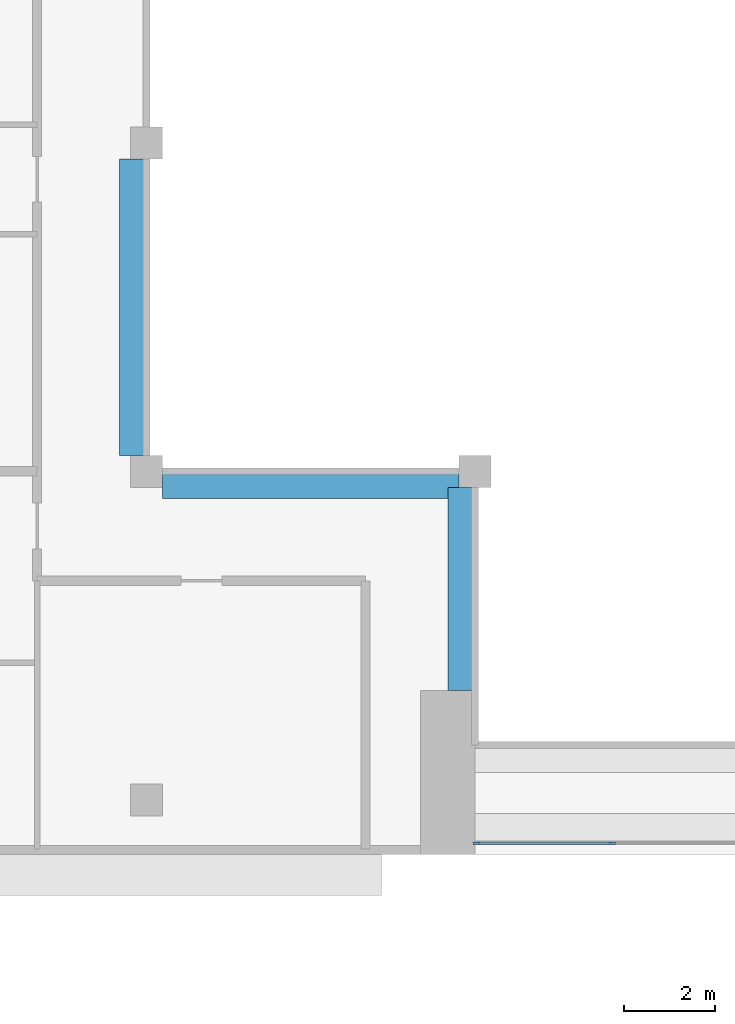
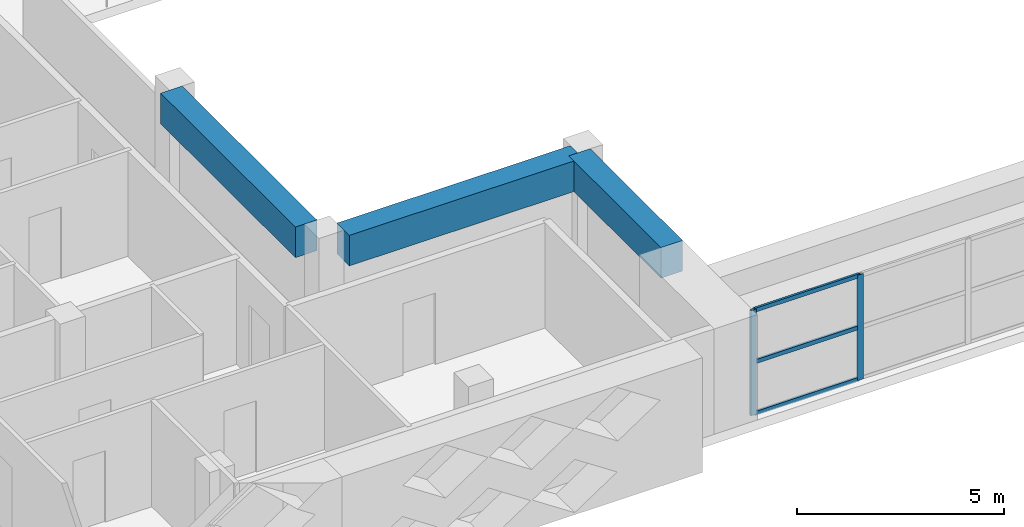
# One storey, part 2 of 19: 5 members, 3 beams, 1 element without a shape of its own.
"""IFC4 building model written with IfcOpenShell, lengths in metres."""

import ifcopenshell
import ifcopenshell.guid

model = None  # the IFC model being written
_history = None  # IfcOwnerHistory: only IFC2X3 demands one
_inside = {}  # id of a spatial element -> (the spatial element, [elements in it])
_under = {}  # id of a project, library or spatial element -> (it, [spatial elements below it])
_declared = {}  # id of a project -> (the project, [libraries it declares])
_typed = {}  # id of a type object -> (the type object, [elements of that type])
_made_of = {}  # id of a material, layer set ... -> (it, [elements and type objects made of it])


def new_model(schema):
    """Start an empty IFC model of exactly this schema.

    Asked for "IFC4X3", IfcOpenShell would pick the latest addendum, in which some entities
    have other attributes; the version numbers below select the first issue.
    IFC2X3 requires an IfcOwnerHistory on every rooted entity: one is made here for all.
    """
    global model, _history
    if schema == "IFC4X3":
        model = ifcopenshell.file(schema_version=(4, 3, 0, 0))
    else:
        model = ifcopenshell.file(schema=schema)
    _inside.clear()
    _under.clear()
    _declared.clear()
    _typed.clear()
    _made_of.clear()
    _history = None
    if model.schema == "IFC2X3":
        org = make("IfcOrganization", Name="unknown")
        user = make(
            "IfcPersonAndOrganization",
            ThePerson=make("IfcPerson", FamilyName="unknown"),
            TheOrganization=org,
        )
        app = make(
            "IfcApplication",
            ApplicationDeveloper=org,
            Version="unknown",
            ApplicationFullName="unknown",
            ApplicationIdentifier="unknown",
        )
        _history = make(
            "IfcOwnerHistory",
            OwningUser=user,
            OwningApplication=app,
            ChangeAction="ADDED",
            CreationDate=0,
        )
    return model


def make(cls, **values):
    """One entity of the class cls with the attributes given. An attribute that is None is left unset."""
    return model.create_entity(
        cls, **{name: value for name, value in values.items() if value is not None}
    )


def rooted(cls, **values):
    """An entity with a GlobalId (a new one), such as an element, a storey or a relation."""
    return make(cls, GlobalId=ifcopenshell.guid.new(), OwnerHistory=_history, **values)


def si_unit(unit_type, name, prefix=None):
    """IfcSIUnit, for example si_unit("LENGTHUNIT", "METRE", prefix="MILLI")."""
    return make("IfcSIUnit", UnitType=unit_type, Prefix=prefix, Name=name)


def assignment(units):
    """IfcUnitAssignment: the units of a project."""
    return None if units is None else make("IfcUnitAssignment", Units=units)


def point(xyz):
    """IfcCartesianPoint."""
    return None if xyz is None else make("IfcCartesianPoint", Coordinates=xyz)


def direction(xyz):
    """IfcDirection."""
    return None if xyz is None else make("IfcDirection", DirectionRatios=xyz)


def frame(location, z_axis=None, x_axis=None):
    """IfcAxis2Placement3D, a coordinate frame: its origin and axes. An axis left out is left unset."""
    return make(
        "IfcAxis2Placement3D",
        Location=point(location),
        Axis=direction(z_axis),
        RefDirection=direction(x_axis),
    )


def frame_2d(location, x_axis=None):
    """IfcAxis2Placement2D, a coordinate frame in the plane: its origin and x axis."""
    return make(
        "IfcAxis2Placement2D", Location=point(location), RefDirection=direction(x_axis)
    )


def origin():
    """The frame at (0, 0, 0) with its axes left unset."""
    return frame((0.0, 0.0, 0.0))


def origin_2d():
    """The frame at (0, 0) in the plane with its x axis left unset."""
    return frame_2d((0.0, 0.0))


def place(relative_to, where):
    """IfcLocalPlacement: puts the frame where relative to a parent placement (None: the world)."""
    return make(
        "IfcLocalPlacement", PlacementRelTo=relative_to, RelativePlacement=where
    )


def context(
    kind, dimensions, precision=None, world=None, true_north=None, identifier=None
):
    """IfcGeometricRepresentationContext, for example the 3D "Model" context."""
    return make(
        "IfcGeometricRepresentationContext",
        ContextIdentifier=identifier,
        ContextType=kind,
        CoordinateSpaceDimension=dimensions,
        Precision=precision,
        WorldCoordinateSystem=world,
        TrueNorth=true_north,
    )


def subcontext(parent, identifier, kind, view, scale=None):
    """IfcGeometricRepresentationSubContext, for example "Body" below "Model"."""
    return make(
        "IfcGeometricRepresentationSubContext",
        ContextIdentifier=identifier,
        ContextType=kind,
        ParentContext=parent,
        TargetScale=scale,
        TargetView=view,
    )


def project(units=None, contexts=None):
    """IfcProject with its units and contexts."""
    return rooted(
        "IfcProject",
        Name="project",
        RepresentationContexts=contexts,
        UnitsInContext=assignment(units),
    )


def spatial(cls, under=None, at=None, **own):
    """A site, building, storey or space (cls), placed at a placement, below another one or the project."""
    s = rooted(cls, ObjectPlacement=at, **own)
    if under is not None:
        _under.setdefault(under.id(), (under, []))[1].append(s)
    return s


def profile(cls, at=None, kind="AREA", **sizes):
    """A parametric profile (cls). Its sizes go by their IFC names, for example OverallWidth=200.0."""
    return make(cls, ProfileType=kind, Position=at, **sizes)


def rectangle(**sizes):
    """IfcRectangleProfileDef."""
    return profile("IfcRectangleProfileDef", **sizes)


def extrude(swept, where, along, depth):
    """IfcExtrudedAreaSolid: the profile swept, set in the frame where, extruded along a direction by depth."""
    return make(
        "IfcExtrudedAreaSolid",
        SweptArea=swept,
        Position=where,
        ExtrudedDirection=direction(along),
        Depth=depth,
    )


def shape(context_of_items, identifier, shape_type, items):
    """IfcShapeRepresentation: the items that make up one representation, for example the "Body"."""
    return make(
        "IfcShapeRepresentation",
        ContextOfItems=context_of_items,
        RepresentationIdentifier=identifier,
        RepresentationType=shape_type,
        Items=items,
    )


def source(mapping_origin, context_of_items, identifier, shape_type, items):
    """IfcRepresentationMap: a shape defined once, which mapped items show again and again."""
    return make(
        "IfcRepresentationMap",
        MappingOrigin=mapping_origin,
        MappedRepresentation=shape(context_of_items, identifier, shape_type, items),
    )


def transform(
    local_origin,
    x_axis=None,
    y_axis=None,
    z_axis=None,
    scale=None,
    scale2=None,
    scale3=None,
    uniform=True,
):
    """IfcCartesianTransformationOperator3D, or its non-uniform kind. x_axis, y_axis, z_axis: its Axis1, 2, 3."""
    if uniform:
        return make(
            "IfcCartesianTransformationOperator3D",
            Axis1=direction(x_axis),
            Axis2=direction(y_axis),
            LocalOrigin=point(local_origin),
            Scale=scale,
            Axis3=direction(z_axis),
        )
    return make(
        "IfcCartesianTransformationOperator3DnonUniform",
        Axis1=direction(x_axis),
        Axis2=direction(y_axis),
        LocalOrigin=point(local_origin),
        Scale=scale,
        Axis3=direction(z_axis),
        Scale2=scale2,
        Scale3=scale3,
    )


def mapped(mapping_source, mapping_target):
    """IfcMappedItem: shows the shape of a source again, moved by a transform."""
    return make(
        "IfcMappedItem", MappingSource=mapping_source, MappingTarget=mapping_target
    )


def material(Name=None, Category=None):
    """IfcMaterial."""
    return make("IfcMaterial", Name=Name, Category=Category)


def layer(
    of_material, thickness, ventilated=None, Name=None, Category=None, Priority=None
):
    """IfcMaterialLayer: one layer of a wall or slab, of a material (None: an air gap)."""
    return make(
        "IfcMaterialLayer",
        Material=of_material,
        LayerThickness=thickness,
        IsVentilated=ventilated,
        Name=Name,
        Category=Category,
        Priority=Priority,
    )


def layer_set(layers, Name=None):
    """IfcMaterialLayerSet."""
    return make("IfcMaterialLayerSet", MaterialLayers=layers, LayerSetName=Name)


def material_profile(
    of_material, cross_section, Name=None, Category=None, Priority=None
):
    """IfcMaterialProfile: a cross section and its material."""
    return make(
        "IfcMaterialProfile",
        Name=Name,
        Material=of_material,
        Profile=cross_section,
        Priority=Priority,
        Category=Category,
    )


def profile_set(profiles, Name=None, composite=None):
    """IfcMaterialProfileSet."""
    return make(
        "IfcMaterialProfileSet",
        Name=Name,
        MaterialProfiles=profiles,
        CompositeProfile=composite,
    )


def made_of(thing, what):
    """Note that an element or type object is made of a material, layer set ...; save() writes the relation."""
    if what is not None:
        _made_of.setdefault(what.id(), (what, []))[1].append(thing)
    return thing


def type_object(cls, material=None, **own):
    """A type object (cls), such as IfcWallType, which elements share."""
    return made_of(rooted(cls, **own), material)


def element(
    cls,
    number,
    at=None,
    inside=None,
    cuts=None,
    type_object=None,
    material=None,
    context=None,
    identifier="Body",
    shape_type=None,
    held_by="IfcProductDefinitionShape",
    body=None,
    shapes=None,
    **own,
):
    """One element of the class cls, such as IfcWall. Its Tag is "e" and its number.

    at: its placement. inside: the storey or other place that contains it. cuts: it is an
    opening in that element (IfcRelVoidsElement). A single representation is given by context,
    identifier, shape_type and body (its items); several are given by shapes. held_by: the class
    of the entity that holds the representations. save() writes the other relations.
    """
    e = rooted(cls, Tag="e%d" % number, ObjectPlacement=at, **own)
    if body is not None:
        shapes = [shape(context, identifier, shape_type, body)]
    if shapes is not None:
        e.Representation = make(held_by, Representations=shapes)
    if inside is not None:
        _inside.setdefault(inside.id(), (inside, []))[1].append(e)
    if cuts is not None:
        rooted(
            "IfcRelVoidsElement", RelatingBuildingElement=cuts, RelatedOpeningElement=e
        )
    if type_object is not None:
        _typed.setdefault(type_object.id(), (type_object, []))[1].append(e)
    return made_of(e, material)


def aggregate(whole, parts):
    """IfcRelAggregates: a whole, such as a stair, and the parts it consists of."""
    return rooted("IfcRelAggregates", RelatingObject=whole, RelatedObjects=parts)


def save(model, path):
    """Write the relations noted so far, then the file.

    IfcRelAggregates (storeys below a building ...), IfcRelContainedInSpatialStructure (elements
    in a storey), IfcRelDefinesByType, IfcRelAssociatesMaterial and IfcRelDeclares: one each for
    every whole, place, type object, material and project.
    """
    for whole, parts in _under.values():
        aggregate(whole, parts)
    for where, things in _inside.values():
        rooted(
            "IfcRelContainedInSpatialStructure",
            RelatedElements=things,
            RelatingStructure=where,
        )
    for kind, things in _typed.values():
        rooted("IfcRelDefinesByType", RelatedObjects=things, RelatingType=kind)
    for what, things in _made_of.values():
        rooted("IfcRelAssociatesMaterial", RelatedObjects=things, RelatingMaterial=what)
    for by, libraries in _declared.values():
        rooted("IfcRelDeclares", RelatingContext=by, RelatedDefinitions=libraries)
    model.write(path)


model = new_model("IFC4")

# Units and contexts
model_context = context("Model", 3, precision=1e-05, world=origin(), true_north=direction((0.0, 1.0)))
body_context = subcontext(model_context, "Body", "Model", "MODEL_VIEW")
ifc_project = project(units=[si_unit("LENGTHUNIT", "METRE"), si_unit("AREAUNIT", "SQUARE_METRE"), si_unit("VOLUMEUNIT", "CUBIC_METRE"), si_unit("PLANEANGLEUNIT", "RADIAN"), si_unit("MASSUNIT", "GRAM", prefix="KILO")], contexts=[model_context])

# Site, building, storey
site_placement = place(None, origin())
site = spatial("IfcSite", under=ifc_project, at=site_placement, CompositionType="ELEMENT")
building_placement = place(site_placement, origin())
building = spatial("IfcBuilding", under=site, at=building_placement, Name="Saffron Iwan Residences", CompositionType="ELEMENT")
storey_placement = place(building_placement, frame((0.0, 0.0, 267.5)))
storey = spatial("IfcBuildingStorey", under=building, at=storey_placement, Name="L72", CompositionType="ELEMENT", Elevation=267.5)

# Beams
ifc_material_1 = material(Name="Concrete C40/50", Category="concrete")
ifc_material_profile_1 = material_profile(ifc_material_1, rectangle(XDim=0.60009765625, YDim=0.89990234375, at=origin_2d()), Name="RC 600x900")
ifc_profile_set_1 = profile_set([ifc_material_profile_1], Name="Concrete C40/50")
beam_type = type_object("IfcBeamType", Name="BEAM RC 600x900 C40/50 TOP 3099", PredefinedType="BEAM", material=ifc_profile_set_1)
shared_shape_1 = source(origin(), body_context, "Body", "SweptSolid", [
    extrude(rectangle(XDim=0.60009765625, YDim=0.89990234375, at=origin_2d()), origin(), (0.0, 0.0, 1.0), 4.449951171875),
])
beam_placement = place(storey_placement, frame((42.89990234375, 43.199951171875, 2.64892578125), z_axis=(0.0, 1.0, 0.0), x_axis=(-1.0, 0.0, 0.0)))
element("IfcBeam", 1, at=beam_placement, inside=storey, type_object=beam_type, Name="Atrium edge beam", PredefinedType="BEAM", context=body_context, shape_type="MappedRepresentation", body=[
    mapped(shared_shape_1, transform((0.0, 0.0, 0.0))),
])
shared_shape_2 = source(origin(), body_context, "Body", "SweptSolid", [
    extrude(rectangle(XDim=0.60009765625, YDim=0.89990234375, at=origin_2d()), origin(), (0.0, 0.0, 1.0), 6.5),
])
for number, where, z_axis, x_axis, name in (
    (2, (42.85009765625, 47.699951171875, 2.64892578125), (-1.0, 0.0, 0.0), (0.0, -1.0, 0.0), "Atrium edge beam"),
    (3, (35.699951171875, 48.35009765625, 2.64892578125), (0.0, 1.0, 0.0), (-1.0, 0.0, 0.0), "Atrium edge beam"),
):
    element("IfcBeam", number, at=place(storey_placement, frame(where, z_axis=z_axis, x_axis=x_axis)), inside=storey, type_object=beam_type, Name=name, PredefinedType="BEAM", context=body_context, shape_type="MappedRepresentation", body=[
        mapped(shared_shape_2, transform((0.0, 0.0, 0.0))),
    ])

# Curtain wall, members
ifc_material_2 = material(Name="Clear glass, laminated double glazed", Category="glass")
ifc_layer = layer(ifc_material_2, 0.199951171875)
ifc_layer_set = layer_set([ifc_layer], Name="Clear glass, laminated double glazed")
curtain_wall_type = type_object("IfcCurtainWallType", Name="CW-B IWAN PORTAL", PredefinedType="NOTDEFINED", material=ifc_layer_set)
curtain_wall_placement = place(storey_placement, origin())
curtain_wall = element("IfcCurtainWall", 4, at=curtain_wall_placement, inside=storey, type_object=curtain_wall_type, Name="Iwan portal glazing L72.1", PredefinedType="NOTDEFINED")
ifc_material_3 = material(Name="Aluminium 6063-T6", Category="aluminium")
ifc_material_profile_2 = material_profile(ifc_material_3, rectangle(XDim=0.06005859375, YDim=0.1201171875, at=origin_2d()), Name="CW-B TRANSOM 60 x 120")
ifc_profile_set_2 = profile_set([ifc_material_profile_2], Name="Aluminium 6063-T6")
member_type_1 = type_object("IfcMemberType", Name="CW-B TRANSOM 60 x 120", PredefinedType="USERDEFINED", material=ifc_profile_set_2)
shared_shape_3 = source(origin(), body_context, "Body", "SweptSolid", [
    extrude(rectangle(XDim=0.06005859375, YDim=0.1201171875, at=origin_2d()), origin(), (0.0, 0.0, 1.0), 2.909912109375),
])
member_1_placement = place(storey_placement, frame((43.260009765625, 39.85009765625, 0.030029296875), z_axis=(1.0, 0.0, 0.0), x_axis=(0.0, 1.0, 0.0)))
member_1 = element("IfcMember", 5, at=member_1_placement, type_object=member_type_1, Name="CW-B transom 1.1", ObjectType="TRANSOM", PredefinedType="USERDEFINED", context=body_context, shape_type="MappedRepresentation", body=[
    mapped(shared_shape_3, transform((0.0, 0.0, 0.0))),
])
member_2_placement = place(storey_placement, frame((43.260009765625, 39.85009765625, 1.549560546875), z_axis=(1.0, 0.0, 0.0), x_axis=(0.0, 1.0, 0.0)))
member_2 = element("IfcMember", 6, at=member_2_placement, type_object=member_type_1, Name="CW-B transom 1.2", ObjectType="TRANSOM", PredefinedType="USERDEFINED", context=body_context, shape_type="MappedRepresentation", body=[
    mapped(shared_shape_3, transform((0.0, 0.0, 0.0))),
])
member_3_placement = place(storey_placement, frame((43.260009765625, 39.85009765625, 3.069091796875), z_axis=(1.0, 0.0, 0.0), x_axis=(0.0, 1.0, 0.0)))
member_3 = element("IfcMember", 7, at=member_3_placement, type_object=member_type_1, Name="CW-B transom 1.3", ObjectType="TRANSOM", PredefinedType="USERDEFINED", context=body_context, shape_type="MappedRepresentation", body=[
    mapped(shared_shape_3, transform((0.0, 0.0, 0.0))),
])
ifc_material_profile_3 = material_profile(ifc_material_3, rectangle(XDim=0.06005859375, YDim=0.159912109375, at=origin_2d()), Name="CW-B MULLION 60 x 160")
ifc_profile_set_3 = profile_set([ifc_material_profile_3], Name="Aluminium 6063-T6")
member_type_2 = type_object("IfcMemberType", Name="CW-B MULLION 60 x 160", PredefinedType="MULLION", material=ifc_profile_set_3)
shared_shape_4 = source(origin(), body_context, "Body", "SweptSolid", [
    extrude(rectangle(XDim=0.06005859375, YDim=0.159912109375, at=origin_2d()), origin(), (0.0, 0.0, 1.0), 3.09912109375),
])
member_4_placement = place(storey_placement, frame((43.22998046875, 39.85009765625, 0.0), z_axis=(0.0, 0.0, 1.0), x_axis=(0.0, 1.0, 0.0)))
member_4 = element("IfcMember", 8, at=member_4_placement, type_object=member_type_2, Name="CW-B mullion 1", PredefinedType="MULLION", context=body_context, shape_type="MappedRepresentation", body=[
    mapped(shared_shape_4, transform((0.0, 0.0, 0.0))),
])
member_5_placement = place(storey_placement, frame((46.199951171875, 39.85009765625, 0.0), z_axis=(0.0, 0.0, 1.0), x_axis=(0.0, 1.0, 0.0)))
member_5 = element("IfcMember", 9, at=member_5_placement, type_object=member_type_2, Name="CW-B mullion 2", PredefinedType="MULLION", context=body_context, shape_type="MappedRepresentation", body=[
    mapped(shared_shape_4, transform((0.0, 0.0, 0.0))),
])
aggregate(curtain_wall, [member_4, member_5, member_1, member_2, member_3])

save(model, "model.ifc")
